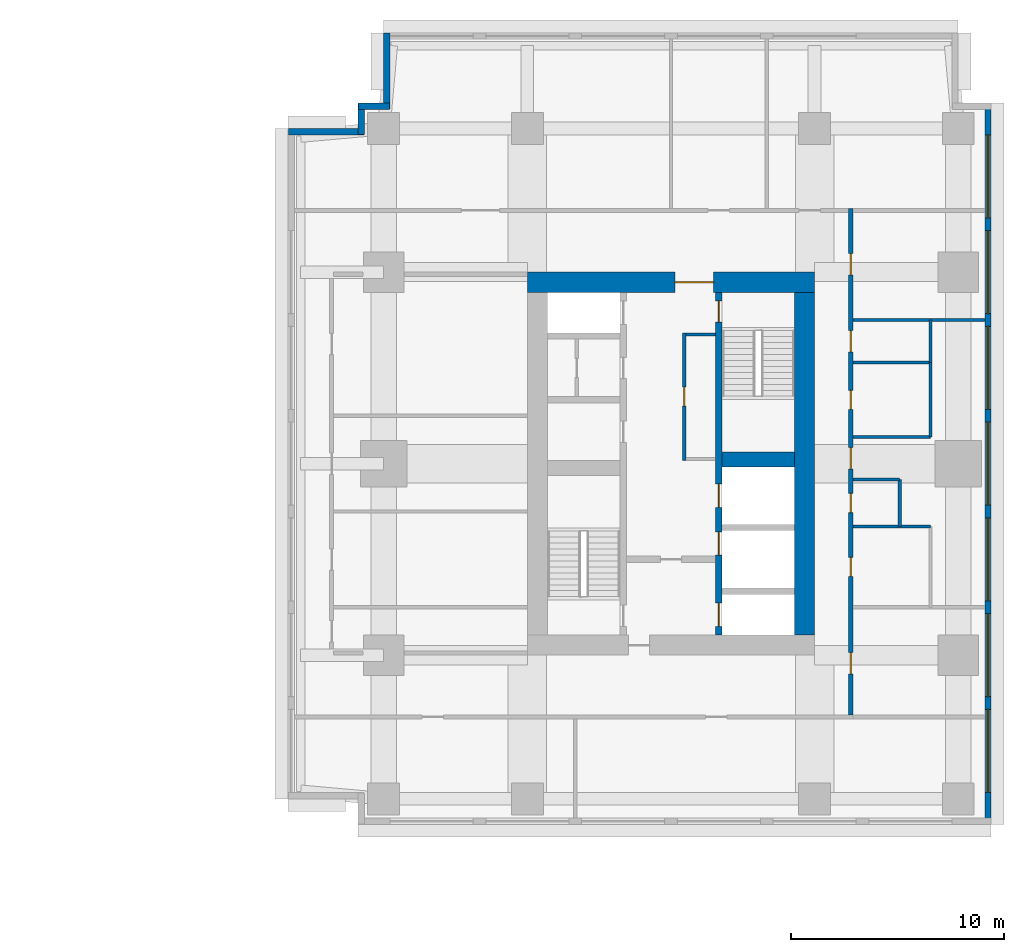
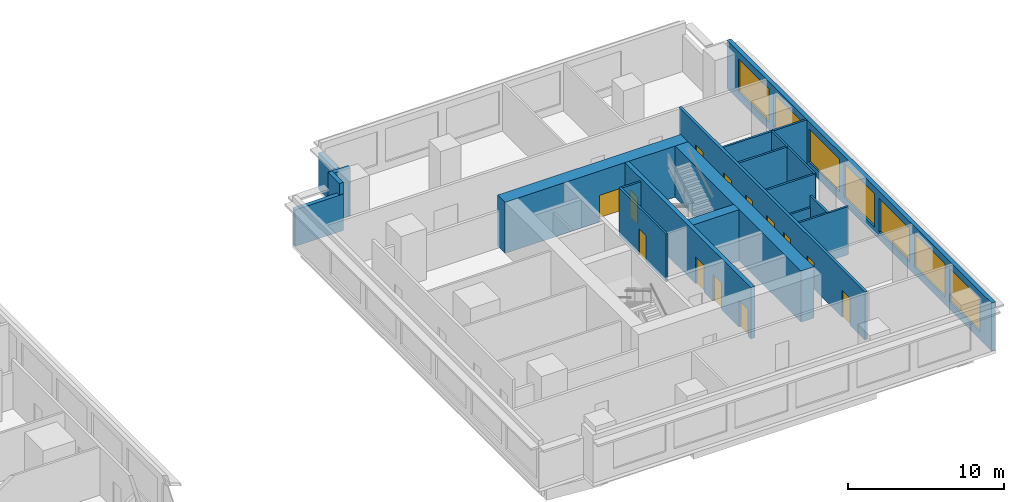
# One storey, part 7 of 10: 20 walls, 13 doors, 7 windows, 20 openings.
"""IFC4 building model written with IfcOpenShell, lengths in metres."""

import ifcopenshell
import ifcopenshell.guid

model = None  # the IFC model being written
_history = None  # IfcOwnerHistory: only IFC2X3 demands one
_inside = {}  # id of a spatial element -> (the spatial element, [elements in it])
_under = {}  # id of a project, library or spatial element -> (it, [spatial elements below it])
_declared = {}  # id of a project -> (the project, [libraries it declares])
_typed = {}  # id of a type object -> (the type object, [elements of that type])
_made_of = {}  # id of a material, layer set ... -> (it, [elements and type objects made of it])


def new_model(schema):
    """Start an empty IFC model of exactly this schema.

    Asked for "IFC4X3", IfcOpenShell would pick the latest addendum, in which some entities
    have other attributes; the version numbers below select the first issue.
    IFC2X3 requires an IfcOwnerHistory on every rooted entity: one is made here for all.
    """
    global model, _history
    if schema == "IFC4X3":
        model = ifcopenshell.file(schema_version=(4, 3, 0, 0))
    else:
        model = ifcopenshell.file(schema=schema)
    _inside.clear()
    _under.clear()
    _declared.clear()
    _typed.clear()
    _made_of.clear()
    _history = None
    if model.schema == "IFC2X3":
        org = make("IfcOrganization", Name="unknown")
        user = make(
            "IfcPersonAndOrganization",
            ThePerson=make("IfcPerson", FamilyName="unknown"),
            TheOrganization=org,
        )
        app = make(
            "IfcApplication",
            ApplicationDeveloper=org,
            Version="unknown",
            ApplicationFullName="unknown",
            ApplicationIdentifier="unknown",
        )
        _history = make(
            "IfcOwnerHistory",
            OwningUser=user,
            OwningApplication=app,
            ChangeAction="ADDED",
            CreationDate=0,
        )
    return model


def make(cls, **values):
    """One entity of the class cls with the attributes given. An attribute that is None is left unset."""
    return model.create_entity(
        cls, **{name: value for name, value in values.items() if value is not None}
    )


def rooted(cls, **values):
    """An entity with a GlobalId (a new one), such as an element, a storey or a relation."""
    return make(cls, GlobalId=ifcopenshell.guid.new(), OwnerHistory=_history, **values)


def si_unit(unit_type, name, prefix=None):
    """IfcSIUnit, for example si_unit("LENGTHUNIT", "METRE", prefix="MILLI")."""
    return make("IfcSIUnit", UnitType=unit_type, Prefix=prefix, Name=name)


def assignment(units):
    """IfcUnitAssignment: the units of a project."""
    return None if units is None else make("IfcUnitAssignment", Units=units)


def point(xyz):
    """IfcCartesianPoint."""
    return None if xyz is None else make("IfcCartesianPoint", Coordinates=xyz)


def direction(xyz):
    """IfcDirection."""
    return None if xyz is None else make("IfcDirection", DirectionRatios=xyz)


def frame(location, z_axis=None, x_axis=None):
    """IfcAxis2Placement3D, a coordinate frame: its origin and axes. An axis left out is left unset."""
    return make(
        "IfcAxis2Placement3D",
        Location=point(location),
        Axis=direction(z_axis),
        RefDirection=direction(x_axis),
    )


def frame_2d(location, x_axis=None):
    """IfcAxis2Placement2D, a coordinate frame in the plane: its origin and x axis."""
    return make(
        "IfcAxis2Placement2D", Location=point(location), RefDirection=direction(x_axis)
    )


def origin():
    """The frame at (0, 0, 0) with its axes left unset."""
    return frame((0.0, 0.0, 0.0))


def place(relative_to, where):
    """IfcLocalPlacement: puts the frame where relative to a parent placement (None: the world)."""
    return make(
        "IfcLocalPlacement", PlacementRelTo=relative_to, RelativePlacement=where
    )


def context(
    kind, dimensions, precision=None, world=None, true_north=None, identifier=None
):
    """IfcGeometricRepresentationContext, for example the 3D "Model" context."""
    return make(
        "IfcGeometricRepresentationContext",
        ContextIdentifier=identifier,
        ContextType=kind,
        CoordinateSpaceDimension=dimensions,
        Precision=precision,
        WorldCoordinateSystem=world,
        TrueNorth=true_north,
    )


def subcontext(parent, identifier, kind, view, scale=None):
    """IfcGeometricRepresentationSubContext, for example "Body" below "Model"."""
    return make(
        "IfcGeometricRepresentationSubContext",
        ContextIdentifier=identifier,
        ContextType=kind,
        ParentContext=parent,
        TargetScale=scale,
        TargetView=view,
    )


def project(units=None, contexts=None):
    """IfcProject with its units and contexts."""
    return rooted(
        "IfcProject",
        Name="project",
        RepresentationContexts=contexts,
        UnitsInContext=assignment(units),
    )


def spatial(cls, under=None, at=None, **own):
    """A site, building, storey or space (cls), placed at a placement, below another one or the project."""
    s = rooted(cls, ObjectPlacement=at, **own)
    if under is not None:
        _under.setdefault(under.id(), (under, []))[1].append(s)
    return s


def profile(cls, at=None, kind="AREA", **sizes):
    """A parametric profile (cls). Its sizes go by their IFC names, for example OverallWidth=200.0."""
    return make(cls, ProfileType=kind, Position=at, **sizes)


def rectangle(**sizes):
    """IfcRectangleProfileDef."""
    return profile("IfcRectangleProfileDef", **sizes)


def extrude(swept, where, along, depth):
    """IfcExtrudedAreaSolid: the profile swept, set in the frame where, extruded along a direction by depth."""
    return make(
        "IfcExtrudedAreaSolid",
        SweptArea=swept,
        Position=where,
        ExtrudedDirection=direction(along),
        Depth=depth,
    )


def shape(context_of_items, identifier, shape_type, items):
    """IfcShapeRepresentation: the items that make up one representation, for example the "Body"."""
    return make(
        "IfcShapeRepresentation",
        ContextOfItems=context_of_items,
        RepresentationIdentifier=identifier,
        RepresentationType=shape_type,
        Items=items,
    )


def material(Name=None, Category=None):
    """IfcMaterial."""
    return make("IfcMaterial", Name=Name, Category=Category)


def layer(
    of_material, thickness, ventilated=None, Name=None, Category=None, Priority=None
):
    """IfcMaterialLayer: one layer of a wall or slab, of a material (None: an air gap)."""
    return make(
        "IfcMaterialLayer",
        Material=of_material,
        LayerThickness=thickness,
        IsVentilated=ventilated,
        Name=Name,
        Category=Category,
        Priority=Priority,
    )


def layer_set(layers, Name=None):
    """IfcMaterialLayerSet."""
    return make("IfcMaterialLayerSet", MaterialLayers=layers, LayerSetName=Name)


def made_of(thing, what):
    """Note that an element or type object is made of a material, layer set ...; save() writes the relation."""
    if what is not None:
        _made_of.setdefault(what.id(), (what, []))[1].append(thing)
    return thing


def type_object(cls, material=None, **own):
    """A type object (cls), such as IfcWallType, which elements share."""
    return made_of(rooted(cls, **own), material)


def element(
    cls,
    number,
    at=None,
    inside=None,
    cuts=None,
    type_object=None,
    material=None,
    context=None,
    identifier="Body",
    shape_type=None,
    held_by="IfcProductDefinitionShape",
    body=None,
    shapes=None,
    **own,
):
    """One element of the class cls, such as IfcWall. Its Tag is "e" and its number.

    at: its placement. inside: the storey or other place that contains it. cuts: it is an
    opening in that element (IfcRelVoidsElement). A single representation is given by context,
    identifier, shape_type and body (its items); several are given by shapes. held_by: the class
    of the entity that holds the representations. save() writes the other relations.
    """
    e = rooted(cls, Tag="e%d" % number, ObjectPlacement=at, **own)
    if body is not None:
        shapes = [shape(context, identifier, shape_type, body)]
    if shapes is not None:
        e.Representation = make(held_by, Representations=shapes)
    if inside is not None:
        _inside.setdefault(inside.id(), (inside, []))[1].append(e)
    if cuts is not None:
        rooted(
            "IfcRelVoidsElement", RelatingBuildingElement=cuts, RelatedOpeningElement=e
        )
    if type_object is not None:
        _typed.setdefault(type_object.id(), (type_object, []))[1].append(e)
    return made_of(e, material)


def fill(opening, filler):
    """IfcRelFillsElement: the door or window that sits in an opening."""
    return rooted(
        "IfcRelFillsElement",
        RelatingOpeningElement=opening,
        RelatedBuildingElement=filler,
    )


def aggregate(whole, parts):
    """IfcRelAggregates: a whole, such as a stair, and the parts it consists of."""
    return rooted("IfcRelAggregates", RelatingObject=whole, RelatedObjects=parts)


def save(model, path):
    """Write the relations noted so far, then the file.

    IfcRelAggregates (storeys below a building ...), IfcRelContainedInSpatialStructure (elements
    in a storey), IfcRelDefinesByType, IfcRelAssociatesMaterial and IfcRelDeclares: one each for
    every whole, place, type object, material and project.
    """
    for whole, parts in _under.values():
        aggregate(whole, parts)
    for where, things in _inside.values():
        rooted(
            "IfcRelContainedInSpatialStructure",
            RelatedElements=things,
            RelatingStructure=where,
        )
    for kind, things in _typed.values():
        rooted("IfcRelDefinesByType", RelatedObjects=things, RelatingType=kind)
    for what, things in _made_of.values():
        rooted("IfcRelAssociatesMaterial", RelatedObjects=things, RelatingMaterial=what)
    for by, libraries in _declared.values():
        rooted("IfcRelDeclares", RelatingContext=by, RelatedDefinitions=libraries)
    model.write(path)


model = new_model("IFC4")

# Units and contexts
model_context = context("Model", 3, precision=1e-05, world=origin(), true_north=direction((0.0, 1.0)))
body_context = subcontext(model_context, "Body", "Model", "MODEL_VIEW")
ifc_project = project(units=[si_unit("LENGTHUNIT", "METRE"), si_unit("AREAUNIT", "SQUARE_METRE"), si_unit("VOLUMEUNIT", "CUBIC_METRE"), si_unit("PLANEANGLEUNIT", "RADIAN"), si_unit("MASSUNIT", "GRAM", prefix="KILO")], contexts=[model_context])

# Site, building, storey
site_placement = place(None, origin())
site = spatial("IfcSite", under=ifc_project, at=site_placement, CompositionType="ELEMENT")
building_placement = place(site_placement, origin())
building = spatial("IfcBuilding", under=site, at=building_placement, Name="Namib Vertical Campus", CompositionType="ELEMENT")
storey_placement = place(building_placement, frame((0.0, 0.0, 157.0)))
storey = spatial("IfcBuildingStorey", under=building, at=storey_placement, Name="L37", CompositionType="ELEMENT", Elevation=157.0)

# Wall, openings, doors
ifc_material_1 = material(Name="Concrete C60/75", Category="concrete")
ifc_layer_1 = layer(ifc_material_1, 0.300048828125)
ifc_layer_set_1 = layer_set([ifc_layer_1], Name="Concrete C60/75")
wall_type_1 = type_object("IfcWallType", Name="Core inner wall 300", PredefinedType="SHEAR", material=ifc_layer_set_1)
wall_1_placement = place(storey_placement, frame((83.25, 12.199951171875, 0.0), z_axis=(0.0, 0.0, 1.0), x_axis=(0.0, 1.0, 0.0)))
wall_1 = element("IfcWall", 1, at=wall_1_placement, inside=storey, type_object=wall_type_1, Name="Core inner wall B L37 W2", PredefinedType="SHEAR", context=body_context, shape_type="SweptSolid", body=[
    extrude(rectangle(XDim=16.10009765625, YDim=0.300048828125, at=frame_2d((8.050048828125, 0.0))), origin(), (0.0, 0.0, 1.0), 4.0),
])
opening_1_placement = place(wall_1_placement, frame((14.699951171875, 0.0, 0.0)))
opening_1 = element("IfcOpeningElement", 2, at=opening_1_placement, cuts=wall_1, Name="Opening FD1", PredefinedType="OPENING", context=body_context, shape_type="SweptSolid", body=[
    extrude(rectangle(XDim=1.0, YDim=2.10009765625, at=frame_2d((0.5, 1.050048828125))), frame((0.0, 0.159912109375, 0.0), z_axis=(0.0, -1.0, 0.0), x_axis=(1.0, 0.0, 0.0)), (0.0, 0.0, 1.0), 0.320068359375),
])
opening_2_placement = place(wall_1_placement, frame((0.39990234375, 0.0, 0.0)))
opening_2 = element("IfcOpeningElement", 3, at=opening_2_placement, cuts=wall_1, Name="Opening LD1", PredefinedType="OPENING", context=body_context, shape_type="SweptSolid", body=[
    extrude(rectangle(XDim=1.10009765625, YDim=2.10009765625, at=frame_2d((0.550048828125, 1.050048828125))), frame((0.0, 0.159912109375, 0.0), z_axis=(0.0, -1.0, 0.0), x_axis=(1.0, 0.0, 0.0)), (0.0, 0.0, 1.0), 0.320068359375),
])
opening_3_placement = place(wall_1_placement, frame((3.75, 0.0, 0.0)))
opening_3 = element("IfcOpeningElement", 4, at=opening_3_placement, cuts=wall_1, Name="Opening LD1", PredefinedType="OPENING", context=body_context, shape_type="SweptSolid", body=[
    extrude(rectangle(XDim=1.10009765625, YDim=2.10009765625, at=frame_2d((0.550048828125, 1.050048828125))), frame((0.0, 0.159912109375, 0.0), z_axis=(0.0, -1.0, 0.0), x_axis=(1.0, 0.0, 0.0)), (0.0, 0.0, 1.0), 0.320068359375),
])
opening_4_placement = place(wall_1_placement, frame((6.0, 0.0, 0.0)))
opening_4 = element("IfcOpeningElement", 5, at=opening_4_placement, cuts=wall_1, Name="Opening LD1", PredefinedType="OPENING", context=body_context, shape_type="SweptSolid", body=[
    extrude(rectangle(XDim=1.10009765625, YDim=2.10009765625, at=frame_2d((0.550048828125, 1.050048828125))), frame((0.0, 0.159912109375, 0.0), z_axis=(0.0, -1.0, 0.0), x_axis=(1.0, 0.0, 0.0)), (0.0, 0.0, 1.0), 0.320068359375),
])
ifc_material_2 = material(Name="Steel fire door", Category="steel")
door_type_1 = type_object("IfcDoorType", Name="Fire door 1000x2100", OperationType="SINGLE_SWING_RIGHT", PredefinedType="DOOR", material=ifc_material_2)
door_1_placement = place(opening_1_placement, frame((1.0, 0.0, 0.0), z_axis=(0.0, 0.0, 1.0), x_axis=(-1.0, 0.0, 0.0)))
door_1 = element("IfcDoor", 6, at=door_1_placement, inside=storey, type_object=door_type_1, Name="Stair door FD1 B L37 S2", OperationType="SINGLE_SWING_LEFT", OverallHeight=2.10009765625, OverallWidth=1.0, PredefinedType="DOOR", context=body_context, shape_type="SweptSolid", body=[
    extrude(rectangle(XDim=1.0, YDim=2.10009765625, at=frame_2d((0.5, 1.050048828125))), frame((0.0, 0.02490234375, 0.0), z_axis=(0.0, -1.0, 0.0), x_axis=(1.0, 0.0, 0.0)), (0.0, 0.0, 1.0), 0.050048828125),
])
fill(opening_1, door_1)
ifc_material_3 = material(Name="Stainless steel lift door", Category="steel")
door_type_2 = type_object("IfcDoorType", Name="Lift landing door 1100x2100", OperationType="DOUBLE_DOOR_SLIDING", PredefinedType="DOOR", material=ifc_material_3)
door_2_placement = place(opening_2_placement, origin())
door_2 = element("IfcDoor", 7, at=door_2_placement, inside=storey, type_object=door_type_2, Name="Lift landing door LD1 B-FL1 L37", OperationType="DOUBLE_DOOR_SLIDING", OverallHeight=2.10009765625, OverallWidth=1.10009765625, PredefinedType="DOOR", context=body_context, shape_type="SweptSolid", body=[
    extrude(rectangle(XDim=1.10009765625, YDim=2.10009765625, at=frame_2d((0.550048828125, 1.050048828125))), frame((0.0, 0.02490234375, 0.0), z_axis=(0.0, -1.0, 0.0), x_axis=(1.0, 0.0, 0.0)), (0.0, 0.0, 1.0), 0.050048828125),
])
fill(opening_2, door_2)
door_3_placement = place(opening_3_placement, origin())
door_3 = element("IfcDoor", 8, at=door_3_placement, inside=storey, type_object=door_type_2, Name="Lift landing door LD1 B-P4 L37", OperationType="DOUBLE_DOOR_SLIDING", OverallHeight=2.10009765625, OverallWidth=1.10009765625, PredefinedType="DOOR", context=body_context, shape_type="SweptSolid", body=[
    extrude(rectangle(XDim=1.10009765625, YDim=2.10009765625, at=frame_2d((0.550048828125, 1.050048828125))), frame((0.0, 0.02490234375, 0.0), z_axis=(0.0, -1.0, 0.0), x_axis=(1.0, 0.0, 0.0)), (0.0, 0.0, 1.0), 0.050048828125),
])
fill(opening_3, door_3)
door_4_placement = place(opening_4_placement, origin())
door_4 = element("IfcDoor", 9, at=door_4_placement, inside=storey, type_object=door_type_2, Name="Lift landing door LD1 B-P5 L37", OperationType="DOUBLE_DOOR_SLIDING", OverallHeight=2.10009765625, OverallWidth=1.10009765625, PredefinedType="DOOR", context=body_context, shape_type="SweptSolid", body=[
    extrude(rectangle(XDim=1.10009765625, YDim=2.10009765625, at=frame_2d((0.550048828125, 1.050048828125))), frame((0.0, 0.02490234375, 0.0), z_axis=(0.0, -1.0, 0.0), x_axis=(1.0, 0.0, 0.0)), (0.0, 0.0, 1.0), 0.050048828125),
])
fill(opening_4, door_4)

# Walls
ifc_material_4 = material(Name="Concrete C60/75", Category="concrete")
ifc_layer_2 = layer(ifc_material_4, 0.699951171875)
ifc_layer_set_2 = layer_set([ifc_layer_2], Name="Concrete C60/75")
wall_type_2 = type_object("IfcWallType", Name="Core shear wall 700", PredefinedType="SHEAR", material=ifc_layer_set_2)
wall_2_placement = place(storey_placement, frame((83.39990234375, 20.449951171875, 0.0), z_axis=(0.0, 0.0, 1.0), x_axis=(1.0, 0.0, 0.0)))
element("IfcWall", 10, at=wall_2_placement, inside=storey, type_object=wall_type_2, Name="Core shear wall B L37 W7", PredefinedType="SHEAR", context=body_context, shape_type="SweptSolid", body=[
    extrude(rectangle(XDim=3.400146484375, YDim=0.699951171875, at=frame_2d((1.7001953125, 0.0))), origin(), (0.0, 0.0, 1.0), 4.0),
])
ifc_material_5 = material(Name="Concrete C60/75", Category="concrete")
ifc_layer_3 = layer(ifc_material_5, 0.949951171875)
ifc_layer_set_3 = layer_set([ifc_layer_3], Name="Concrete C60/75")
wall_type_3 = type_object("IfcWallType", Name="Core wall 950", PredefinedType="SHEAR", material=ifc_layer_set_3)
wall_3_placement = place(storey_placement, frame((87.27490234375, 12.199951171875, 0.0), z_axis=(0.0, 0.0, 1.0), x_axis=(0.0, 1.0, 0.0)))
element("IfcWall", 11, at=wall_3_placement, inside=storey, type_object=wall_type_3, Name="Core wall B L37 2", PredefinedType="SHEAR", context=body_context, shape_type="SweptSolid", body=[
    extrude(rectangle(XDim=16.10009765625, YDim=0.949951171875, at=frame_2d((8.050048828125, 0.0))), origin(), (0.0, 0.0, 1.0), 4.0),
])

# Wall, opening, door
wall_4_placement = place(storey_placement, frame((87.75, 28.77490234375, 0.0), z_axis=(0.0, 0.0, 1.0), x_axis=(-1.0, 0.0, 0.0)))
wall_4 = element("IfcWall", 12, at=wall_4_placement, inside=storey, type_object=wall_type_3, Name="Core wall B L37 3", PredefinedType="SHEAR", context=body_context, shape_type="SweptSolid", body=[
    extrude(rectangle(XDim=13.5, YDim=0.949951171875, at=frame_2d((6.75, 0.0))), origin(), (0.0, 0.0, 1.0), 4.0),
])
opening_5_placement = place(wall_4_placement, frame((4.75, 0.0, 0.0)))
opening_5 = element("IfcOpeningElement", 13, at=opening_5_placement, cuts=wall_4, Name="Opening FD2", PredefinedType="OPENING", context=body_context, shape_type="SweptSolid", body=[
    extrude(rectangle(XDim=1.800048828125, YDim=2.10009765625, at=frame_2d((0.89990234375, 1.050048828125))), frame((0.0, 0.48486328125, 0.0), z_axis=(0.0, -1.0, 0.0), x_axis=(1.0, 0.0, 0.0)), (0.0, 0.0, 1.0), 0.969970703125),
])
ifc_material_6 = material(Name="Steel fire door", Category="steel")
door_type_3 = type_object("IfcDoorType", Name="Fire door double 1800x2100", OperationType="DOUBLE_DOOR_SINGLE_SWING", PredefinedType="DOOR", material=ifc_material_6)
door_5_placement = place(opening_5_placement, origin())
door_5 = element("IfcDoor", 14, at=door_5_placement, inside=storey, type_object=door_type_3, Name="Lift lobby door FD2 B L37", OperationType="DOUBLE_DOOR_SINGLE_SWING", OverallHeight=2.10009765625, OverallWidth=1.800048828125, PredefinedType="DOOR", context=body_context, shape_type="SweptSolid", body=[
    extrude(rectangle(XDim=1.800048828125, YDim=2.10009765625, at=frame_2d((0.89990234375, 1.050048828125))), frame((0.0, 0.02490234375, 0.0), z_axis=(0.0, -1.0, 0.0), x_axis=(1.0, 0.0, 0.0)), (0.0, 0.0, 1.0), 0.050048828125),
])
fill(opening_5, door_5)

# Wall, openings, doors
ifc_material_7 = material(Name="Concrete masonry", Category="masonry")
ifc_layer_4 = layer(ifc_material_7, 0.199951171875)
ifc_layer_set_4 = layer_set([ifc_layer_4], Name="Corridor wall 200")
wall_type_4 = type_object("IfcWallType", Name="Corridor wall 200", PredefinedType="SOLIDWALL", material=ifc_layer_set_4)
wall_5_placement = place(storey_placement, frame((89.449951171875, 8.449951171875, 0.0), z_axis=(0.0, 0.0, 1.0), x_axis=(0.0, 1.0, 0.0)))
wall_5 = element("IfcWall", 15, at=wall_5_placement, inside=storey, type_object=wall_type_4, Name="Corridor wall B L37 CE", PredefinedType="SOLIDWALL", context=body_context, shape_type="SweptSolid", body=[
    extrude(rectangle(XDim=23.800048828125, YDim=0.199951171875, at=frame_2d((11.89990234375, 0.0))), origin(), (0.0, 0.0, 1.0), 3.75),
])
opening_6_placement = place(wall_5_placement, frame((1.925048828125, 0.0, 0.0)))
opening_6 = element("IfcOpeningElement", 16, at=opening_6_placement, cuts=wall_5, Name="Opening CD1", PredefinedType="OPENING", context=body_context, shape_type="SweptSolid", body=[
    extrude(rectangle(XDim=1.0, YDim=2.10009765625, at=frame_2d((0.5, 1.050048828125))), frame((0.0, 0.10986328125, 0.0), z_axis=(0.0, -1.0, 0.0), x_axis=(1.0, 0.0, 0.0)), (0.0, 0.0, 1.0), 0.219970703125),
])
opening_7_placement = place(wall_5_placement, frame((6.5, 0.0, 0.0)))
opening_7 = element("IfcOpeningElement", 17, at=opening_7_placement, cuts=wall_5, Name="Opening CD3", PredefinedType="OPENING", context=body_context, shape_type="SweptSolid", body=[
    extrude(rectangle(XDim=0.89990234375, YDim=2.10009765625, at=frame_2d((0.449951171875, 1.050048828125))), frame((0.0, 0.10986328125, 0.0), z_axis=(0.0, -1.0, 0.0), x_axis=(1.0, 0.0, 0.0)), (0.0, 0.0, 1.0), 0.219970703125),
])
opening_8_placement = place(wall_5_placement, frame((9.5, 0.0, 0.0)))
opening_8 = element("IfcOpeningElement", 18, at=opening_8_placement, cuts=wall_5, Name="Opening CD3", PredefinedType="OPENING", context=body_context, shape_type="SweptSolid", body=[
    extrude(rectangle(XDim=0.89990234375, YDim=2.10009765625, at=frame_2d((0.449951171875, 1.050048828125))), frame((0.0, 0.10986328125, 0.0), z_axis=(0.0, -1.0, 0.0), x_axis=(1.0, 0.0, 0.0)), (0.0, 0.0, 1.0), 0.219970703125),
])
opening_9_placement = place(wall_5_placement, frame((14.35009765625, 0.0, 0.0)))
opening_9 = element("IfcOpeningElement", 19, at=opening_9_placement, cuts=wall_5, Name="Opening CD3", PredefinedType="OPENING", context=body_context, shape_type="SweptSolid", body=[
    extrude(rectangle(XDim=0.89990234375, YDim=2.10009765625, at=frame_2d((0.449951171875, 1.050048828125))), frame((0.0, 0.10986328125, 0.0), z_axis=(0.0, -1.0, 0.0), x_axis=(1.0, 0.0, 0.0)), (0.0, 0.0, 1.0), 0.219970703125),
])
opening_10_placement = place(wall_5_placement, frame((17.050048828125, 0.0, 0.0)))
opening_10 = element("IfcOpeningElement", 20, at=opening_10_placement, cuts=wall_5, Name="Opening CD1", PredefinedType="OPENING", context=body_context, shape_type="SweptSolid", body=[
    extrude(rectangle(XDim=1.0, YDim=2.10009765625, at=frame_2d((0.5, 1.050048828125))), frame((0.0, 0.10986328125, 0.0), z_axis=(0.0, -1.0, 0.0), x_axis=(1.0, 0.0, 0.0)), (0.0, 0.0, 1.0), 0.219970703125),
])
opening_11_placement = place(wall_5_placement, frame((11.550048828125, 0.0, 0.0)))
opening_11 = element("IfcOpeningElement", 21, at=opening_11_placement, cuts=wall_5, Name="Opening CD1", PredefinedType="OPENING", context=body_context, shape_type="SweptSolid", body=[
    extrude(rectangle(XDim=1.0, YDim=2.10009765625, at=frame_2d((0.5, 1.050048828125))), frame((0.0, 0.10986328125, 0.0), z_axis=(0.0, -1.0, 0.0), x_axis=(1.0, 0.0, 0.0)), (0.0, 0.0, 1.0), 0.219970703125),
])
opening_12_placement = place(wall_5_placement, frame((20.675048828125, 0.0, 0.0)))
opening_12 = element("IfcOpeningElement", 22, at=opening_12_placement, cuts=wall_5, Name="Opening CD1", PredefinedType="OPENING", context=body_context, shape_type="SweptSolid", body=[
    extrude(rectangle(XDim=1.0, YDim=2.10009765625, at=frame_2d((0.5, 1.050048828125))), frame((0.0, 0.10986328125, 0.0), z_axis=(0.0, -1.0, 0.0), x_axis=(1.0, 0.0, 0.0)), (0.0, 0.0, 1.0), 0.219970703125),
])
ifc_material_8 = material(Name="Timber fire door leaf", Category="wood")
door_type_4 = type_object("IfcDoorType", Name="Corridor door 1000x2100 20 min", OperationType="SINGLE_SWING_LEFT", PredefinedType="DOOR", material=ifc_material_8)
door_6_placement = place(opening_6_placement, frame((1.0, 0.0, 0.0), z_axis=(0.0, 0.0, 1.0), x_axis=(-1.0, 0.0, 0.0)))
door_6 = element("IfcDoor", 23, at=door_6_placement, inside=storey, type_object=door_type_4, Name="Door CD1 B37-03", OperationType="SINGLE_SWING_RIGHT", OverallHeight=2.10009765625, OverallWidth=1.0, PredefinedType="DOOR", context=body_context, shape_type="SweptSolid", body=[
    extrude(rectangle(XDim=1.0, YDim=2.10009765625, at=frame_2d((0.5, 1.050048828125))), frame((0.0, 0.02490234375, 0.0), z_axis=(0.0, -1.0, 0.0), x_axis=(1.0, 0.0, 0.0)), (0.0, 0.0, 1.0), 0.050048828125),
])
fill(opening_6, door_6)
door_7_placement = place(opening_10_placement, frame((1.0, 0.0, 0.0), z_axis=(0.0, 0.0, 1.0), x_axis=(-1.0, 0.0, 0.0)))
door_7 = element("IfcDoor", 24, at=door_7_placement, inside=storey, type_object=door_type_4, Name="Door CD1 B37-07", OperationType="SINGLE_SWING_RIGHT", OverallHeight=2.10009765625, OverallWidth=1.0, PredefinedType="DOOR", context=body_context, shape_type="SweptSolid", body=[
    extrude(rectangle(XDim=1.0, YDim=2.10009765625, at=frame_2d((0.5, 1.050048828125))), frame((0.0, 0.02490234375, 0.0), z_axis=(0.0, -1.0, 0.0), x_axis=(1.0, 0.0, 0.0)), (0.0, 0.0, 1.0), 0.050048828125),
])
fill(opening_10, door_7)
door_8_placement = place(opening_11_placement, frame((1.0, 0.0, 0.0), z_axis=(0.0, 0.0, 1.0), x_axis=(-1.0, 0.0, 0.0)))
door_8 = element("IfcDoor", 25, at=door_8_placement, inside=storey, type_object=door_type_4, Name="Door CD1 B37-08", OperationType="SINGLE_SWING_RIGHT", OverallHeight=2.10009765625, OverallWidth=1.0, PredefinedType="DOOR", context=body_context, shape_type="SweptSolid", body=[
    extrude(rectangle(XDim=1.0, YDim=2.10009765625, at=frame_2d((0.5, 1.050048828125))), frame((0.0, 0.02490234375, 0.0), z_axis=(0.0, -1.0, 0.0), x_axis=(1.0, 0.0, 0.0)), (0.0, 0.0, 1.0), 0.050048828125),
])
fill(opening_11, door_8)
door_9_placement = place(opening_12_placement, frame((1.0, 0.0, 0.0), z_axis=(0.0, 0.0, 1.0), x_axis=(-1.0, 0.0, 0.0)))
door_9 = element("IfcDoor", 26, at=door_9_placement, inside=storey, type_object=door_type_4, Name="Door CD1 B37-09", OperationType="SINGLE_SWING_RIGHT", OverallHeight=2.10009765625, OverallWidth=1.0, PredefinedType="DOOR", context=body_context, shape_type="SweptSolid", body=[
    extrude(rectangle(XDim=1.0, YDim=2.10009765625, at=frame_2d((0.5, 1.050048828125))), frame((0.0, 0.02490234375, 0.0), z_axis=(0.0, -1.0, 0.0), x_axis=(1.0, 0.0, 0.0)), (0.0, 0.0, 1.0), 0.050048828125),
])
fill(opening_12, door_9)
ifc_material_9 = material(Name="Timber fire door leaf", Category="wood")
door_type_5 = type_object("IfcDoorType", Name="Corridor toilet door 900x2100 20 min", OperationType="SINGLE_SWING_LEFT", PredefinedType="DOOR", material=ifc_material_9)
door_10_placement = place(opening_7_placement, frame((0.89990234375, 0.0, 0.0), z_axis=(0.0, 0.0, 1.0), x_axis=(-1.0, 0.0, 0.0)))
door_10 = element("IfcDoor", 27, at=door_10_placement, inside=storey, type_object=door_type_5, Name="Door CD3 B37-04", OperationType="SINGLE_SWING_RIGHT", OverallHeight=2.10009765625, OverallWidth=0.89990234375, PredefinedType="DOOR", context=body_context, shape_type="SweptSolid", body=[
    extrude(rectangle(XDim=0.89990234375, YDim=2.10009765625, at=frame_2d((0.449951171875, 1.050048828125))), frame((0.0, 0.02490234375, 0.0), z_axis=(0.0, -1.0, 0.0), x_axis=(1.0, 0.0, 0.0)), (0.0, 0.0, 1.0), 0.050048828125),
])
fill(opening_7, door_10)
door_11_placement = place(opening_8_placement, frame((0.89990234375, 0.0, 0.0), z_axis=(0.0, 0.0, 1.0), x_axis=(-1.0, 0.0, 0.0)))
door_11 = element("IfcDoor", 28, at=door_11_placement, inside=storey, type_object=door_type_5, Name="Door CD3 B37-05", OperationType="SINGLE_SWING_RIGHT", OverallHeight=2.10009765625, OverallWidth=0.89990234375, PredefinedType="DOOR", context=body_context, shape_type="SweptSolid", body=[
    extrude(rectangle(XDim=0.89990234375, YDim=2.10009765625, at=frame_2d((0.449951171875, 1.050048828125))), frame((0.0, 0.02490234375, 0.0), z_axis=(0.0, -1.0, 0.0), x_axis=(1.0, 0.0, 0.0)), (0.0, 0.0, 1.0), 0.050048828125),
])
fill(opening_8, door_11)
door_12_placement = place(opening_9_placement, frame((0.89990234375, 0.0, 0.0), z_axis=(0.0, 0.0, 1.0), x_axis=(-1.0, 0.0, 0.0)))
door_12 = element("IfcDoor", 29, at=door_12_placement, inside=storey, type_object=door_type_5, Name="Door CD3 B37-06", OperationType="SINGLE_SWING_RIGHT", OverallHeight=2.10009765625, OverallWidth=0.89990234375, PredefinedType="DOOR", context=body_context, shape_type="SweptSolid", body=[
    extrude(rectangle(XDim=0.89990234375, YDim=2.10009765625, at=frame_2d((0.449951171875, 1.050048828125))), frame((0.0, 0.02490234375, 0.0), z_axis=(0.0, -1.0, 0.0), x_axis=(1.0, 0.0, 0.0)), (0.0, 0.0, 1.0), 0.050048828125),
])
fill(opening_9, door_12)

# Wall, openings, windows
ifc_material_10 = material(Name="Concrete C40/50", Category="concrete")
ifc_layer_5 = layer(ifc_material_10, 0.300048828125)
ifc_layer_set_5 = layer_set([ifc_layer_5], Name="Concrete C40/50")
wall_type_5 = type_object("IfcWallType", Name="External wall 300 board-marked concrete", PredefinedType="STANDARD", material=ifc_layer_set_5)
wall_6_placement = place(storey_placement, frame((95.89990234375, 3.320068359375, 0.0), z_axis=(0.0, 0.0, 1.0), x_axis=(0.0, 1.0, 0.0)))
wall_6 = element("IfcWall", 30, at=wall_6_placement, inside=storey, type_object=wall_type_5, Name="External wall L37 F04", PredefinedType="STANDARD", context=body_context, shape_type="SweptSolid", body=[
    extrude(rectangle(XDim=33.85986328125, YDim=0.300048828125, at=frame_2d((16.929931640625, 0.0))), origin(), (0.0, 0.0, 1.0), 3.75),
])
opening_13_placement = place(wall_6_placement, frame((1.47998046875, 0.0, 0.60009765625)))
opening_13 = element("IfcOpeningElement", 31, at=opening_13_placement, cuts=wall_6, Name="Opening W2", PredefinedType="OPENING", context=body_context, shape_type="SweptSolid", body=[
    extrude(rectangle(XDim=3.89990234375, YDim=2.60009765625, at=frame_2d((1.949951171875, 1.300048828125))), frame((0.0, 0.159912109375, 0.0), z_axis=(0.0, -1.0, 0.0), x_axis=(1.0, 0.0, 0.0)), (0.0, 0.0, 1.0), 0.320068359375),
])
opening_14_placement = place(wall_6_placement, frame((5.97998046875, 0.0, 0.60009765625)))
opening_14 = element("IfcOpeningElement", 32, at=opening_14_placement, cuts=wall_6, Name="Opening W2", PredefinedType="OPENING", context=body_context, shape_type="SweptSolid", body=[
    extrude(rectangle(XDim=3.89990234375, YDim=2.60009765625, at=frame_2d((1.949951171875, 1.300048828125))), frame((0.0, 0.159912109375, 0.0), z_axis=(0.0, -1.0, 0.0), x_axis=(1.0, 0.0, 0.0)), (0.0, 0.0, 1.0), 0.320068359375),
])
opening_15_placement = place(wall_6_placement, frame((10.47998046875, 0.0, 0.60009765625)))
opening_15 = element("IfcOpeningElement", 33, at=opening_15_placement, cuts=wall_6, Name="Opening W2", PredefinedType="OPENING", context=body_context, shape_type="SweptSolid", body=[
    extrude(rectangle(XDim=3.89990234375, YDim=2.60009765625, at=frame_2d((1.949951171875, 1.300048828125))), frame((0.0, 0.159912109375, 0.0), z_axis=(0.0, -1.0, 0.0), x_axis=(1.0, 0.0, 0.0)), (0.0, 0.0, 1.0), 0.320068359375),
])
opening_16_placement = place(wall_6_placement, frame((14.97998046875, 0.0, 0.60009765625)))
opening_16 = element("IfcOpeningElement", 34, at=opening_16_placement, cuts=wall_6, Name="Opening W2", PredefinedType="OPENING", context=body_context, shape_type="SweptSolid", body=[
    extrude(rectangle(XDim=3.89990234375, YDim=2.60009765625, at=frame_2d((1.949951171875, 1.300048828125))), frame((0.0, 0.159912109375, 0.0), z_axis=(0.0, -1.0, 0.0), x_axis=(1.0, 0.0, 0.0)), (0.0, 0.0, 1.0), 0.320068359375),
])
opening_17_placement = place(wall_6_placement, frame((19.47998046875, 0.0, 0.60009765625)))
opening_17 = element("IfcOpeningElement", 35, at=opening_17_placement, cuts=wall_6, Name="Opening W2", PredefinedType="OPENING", context=body_context, shape_type="SweptSolid", body=[
    extrude(rectangle(XDim=3.89990234375, YDim=2.60009765625, at=frame_2d((1.949951171875, 1.300048828125))), frame((0.0, 0.159912109375, 0.0), z_axis=(0.0, -1.0, 0.0), x_axis=(1.0, 0.0, 0.0)), (0.0, 0.0, 1.0), 0.320068359375),
])
opening_18_placement = place(wall_6_placement, frame((23.97998046875, 0.0, 0.60009765625)))
opening_18 = element("IfcOpeningElement", 36, at=opening_18_placement, cuts=wall_6, Name="Opening W2", PredefinedType="OPENING", context=body_context, shape_type="SweptSolid", body=[
    extrude(rectangle(XDim=3.89990234375, YDim=2.60009765625, at=frame_2d((1.949951171875, 1.300048828125))), frame((0.0, 0.159912109375, 0.0), z_axis=(0.0, -1.0, 0.0), x_axis=(1.0, 0.0, 0.0)), (0.0, 0.0, 1.0), 0.320068359375),
])
opening_19_placement = place(wall_6_placement, frame((28.47998046875, 0.0, 0.60009765625)))
opening_19 = element("IfcOpeningElement", 37, at=opening_19_placement, cuts=wall_6, Name="Opening W2", PredefinedType="OPENING", context=body_context, shape_type="SweptSolid", body=[
    extrude(rectangle(XDim=3.89990234375, YDim=2.60009765625, at=frame_2d((1.949951171875, 1.300048828125))), frame((0.0, 0.159912109375, 0.0), z_axis=(0.0, -1.0, 0.0), x_axis=(1.0, 0.0, 0.0)), (0.0, 0.0, 1.0), 0.320068359375),
])
ifc_material_11 = material(Name="Dark tinted glass in black aluminium frame", Category="aluminium")
window_type = type_object("IfcWindowType", Name="Ribbon window 3900x2600", PartitioningType="SINGLE_PANEL", PredefinedType="WINDOW", material=ifc_material_11)
window_1_placement = place(opening_13_placement, origin())
window_1 = element("IfcWindow", 38, at=window_1_placement, inside=storey, type_object=window_type, Name="Window W2 L37 F04-1", OverallHeight=2.60009765625, OverallWidth=3.89990234375, PartitioningType="SINGLE_PANEL", PredefinedType="WINDOW", context=body_context, shape_type="SweptSolid", body=[
    extrude(rectangle(XDim=3.89990234375, YDim=2.60009765625, at=frame_2d((1.949951171875, 1.300048828125))), frame((0.0, 0.030029296875, 0.0), z_axis=(0.0, -1.0, 0.0), x_axis=(1.0, 0.0, 0.0)), (0.0, 0.0, 1.0), 0.06005859375),
])
fill(opening_13, window_1)
window_2_placement = place(opening_14_placement, origin())
window_2 = element("IfcWindow", 39, at=window_2_placement, inside=storey, type_object=window_type, Name="Window W2 L37 F04-2", OverallHeight=2.60009765625, OverallWidth=3.89990234375, PartitioningType="SINGLE_PANEL", PredefinedType="WINDOW", context=body_context, shape_type="SweptSolid", body=[
    extrude(rectangle(XDim=3.89990234375, YDim=2.60009765625, at=frame_2d((1.949951171875, 1.300048828125))), frame((0.0, 0.030029296875, 0.0), z_axis=(0.0, -1.0, 0.0), x_axis=(1.0, 0.0, 0.0)), (0.0, 0.0, 1.0), 0.06005859375),
])
fill(opening_14, window_2)
window_3_placement = place(opening_15_placement, origin())
window_3 = element("IfcWindow", 40, at=window_3_placement, inside=storey, type_object=window_type, Name="Window W2 L37 F04-3", OverallHeight=2.60009765625, OverallWidth=3.89990234375, PartitioningType="SINGLE_PANEL", PredefinedType="WINDOW", context=body_context, shape_type="SweptSolid", body=[
    extrude(rectangle(XDim=3.89990234375, YDim=2.60009765625, at=frame_2d((1.949951171875, 1.300048828125))), frame((0.0, 0.030029296875, 0.0), z_axis=(0.0, -1.0, 0.0), x_axis=(1.0, 0.0, 0.0)), (0.0, 0.0, 1.0), 0.06005859375),
])
fill(opening_15, window_3)
window_4_placement = place(opening_16_placement, origin())
window_4 = element("IfcWindow", 41, at=window_4_placement, inside=storey, type_object=window_type, Name="Window W2 L37 F04-4", OverallHeight=2.60009765625, OverallWidth=3.89990234375, PartitioningType="SINGLE_PANEL", PredefinedType="WINDOW", context=body_context, shape_type="SweptSolid", body=[
    extrude(rectangle(XDim=3.89990234375, YDim=2.60009765625, at=frame_2d((1.949951171875, 1.300048828125))), frame((0.0, 0.030029296875, 0.0), z_axis=(0.0, -1.0, 0.0), x_axis=(1.0, 0.0, 0.0)), (0.0, 0.0, 1.0), 0.06005859375),
])
fill(opening_16, window_4)
window_5_placement = place(opening_17_placement, origin())
window_5 = element("IfcWindow", 42, at=window_5_placement, inside=storey, type_object=window_type, Name="Window W2 L37 F04-5", OverallHeight=2.60009765625, OverallWidth=3.89990234375, PartitioningType="SINGLE_PANEL", PredefinedType="WINDOW", context=body_context, shape_type="SweptSolid", body=[
    extrude(rectangle(XDim=3.89990234375, YDim=2.60009765625, at=frame_2d((1.949951171875, 1.300048828125))), frame((0.0, 0.030029296875, 0.0), z_axis=(0.0, -1.0, 0.0), x_axis=(1.0, 0.0, 0.0)), (0.0, 0.0, 1.0), 0.06005859375),
])
fill(opening_17, window_5)
window_6_placement = place(opening_18_placement, origin())
window_6 = element("IfcWindow", 43, at=window_6_placement, inside=storey, type_object=window_type, Name="Window W2 L37 F04-6", OverallHeight=2.60009765625, OverallWidth=3.89990234375, PartitioningType="SINGLE_PANEL", PredefinedType="WINDOW", context=body_context, shape_type="SweptSolid", body=[
    extrude(rectangle(XDim=3.89990234375, YDim=2.60009765625, at=frame_2d((1.949951171875, 1.300048828125))), frame((0.0, 0.030029296875, 0.0), z_axis=(0.0, -1.0, 0.0), x_axis=(1.0, 0.0, 0.0)), (0.0, 0.0, 1.0), 0.06005859375),
])
fill(opening_18, window_6)
window_7_placement = place(opening_19_placement, origin())
window_7 = element("IfcWindow", 44, at=window_7_placement, inside=storey, type_object=window_type, Name="Window W2 L37 F04-7", OverallHeight=2.60009765625, OverallWidth=3.89990234375, PartitioningType="SINGLE_PANEL", PredefinedType="WINDOW", context=body_context, shape_type="SweptSolid", body=[
    extrude(rectangle(XDim=3.89990234375, YDim=2.60009765625, at=frame_2d((1.949951171875, 1.300048828125))), frame((0.0, 0.030029296875, 0.0), z_axis=(0.0, -1.0, 0.0), x_axis=(1.0, 0.0, 0.0)), (0.0, 0.0, 1.0), 0.06005859375),
])
fill(opening_19, window_7)

# Walls
wall_7_placement = place(storey_placement, frame((67.64990234375, 40.47998046875, 0.0), z_axis=(0.0, 0.0, 1.0), x_axis=(0.0, -1.0, 0.0)))
element("IfcWall", 45, at=wall_7_placement, inside=storey, type_object=wall_type_5, Name="External wall L37 F08", PredefinedType="STANDARD", context=body_context, shape_type="SweptSolid", body=[
    extrude(rectangle(XDim=3.56005859375, YDim=0.300048828125, at=frame_2d((1.780029296875, 0.0))), origin(), (0.0, 0.0, 1.0), 2.85009765625),
])
for number, where, z_axis, x_axis, name in (
    (46, (67.780029296875, 37.050048828125, 0.0), (0.0, 0.0, 1.0), (-1.0, 0.0, 0.0), "External wall L37 F09"),
    (47, (66.449951171875, 37.179931640625, 0.0), (0.0, 0.0, 1.0), (0.0, -1.0, 0.0), "External wall L37 F10"),
):
    element("IfcWall", number, at=place(storey_placement, frame(where, z_axis=z_axis, x_axis=x_axis)), inside=storey, type_object=wall_type_5, Name=name, PredefinedType="STANDARD", context=body_context, shape_type="SweptSolid", body=[
        extrude(rectangle(XDim=1.4599609375, YDim=0.300048828125, at=frame_2d((0.72998046875, 0.0))), origin(), (0.0, 0.0, 1.0), 3.75),
    ])
wall_8_placement = place(storey_placement, frame((66.580078125, 35.85009765625, 0.0), z_axis=(0.0, 0.0, 1.0), x_axis=(-1.0, 0.0, 0.0)))
element("IfcWall", 48, at=wall_8_placement, inside=storey, type_object=wall_type_5, Name="External wall L37 F11", PredefinedType="STANDARD", context=body_context, shape_type="SweptSolid", body=[
    extrude(rectangle(XDim=3.56005859375, YDim=0.300048828125, at=frame_2d((1.780029296875, 0.0))), origin(), (0.0, 0.0, 1.0), 2.85009765625),
])

# Wall, opening, door
ifc_material_12 = material(Name="Gypsum board on steel studs", Category="steel")
ifc_layer_6 = layer(ifc_material_12, 0.14990234375)
ifc_layer_set_6 = layer_set([ifc_layer_6], Name="Gypsum board on steel studs")
wall_type_6 = type_object("IfcWallType", Name="Partition 150", PredefinedType="PARTITIONING", material=ifc_layer_set_6)
wall_9_placement = place(storey_placement, frame((81.625, 20.39990234375, 0.0), z_axis=(0.0, 0.0, 1.0), x_axis=(0.0, 1.0, 0.0)))
wall_9 = element("IfcWall", 49, at=wall_9_placement, inside=storey, type_object=wall_type_6, Name="Partition B L37 Store front", PredefinedType="PARTITIONING", context=body_context, shape_type="SweptSolid", body=[
    extrude(rectangle(XDim=6.0, YDim=0.14990234375, at=frame_2d((3.0, 0.0))), origin(), (0.0, 0.0, 1.0), 3.75),
])
opening_20_placement = place(wall_9_placement, frame((2.550048828125, 0.0, 0.0)))
opening_20 = element("IfcOpeningElement", 50, at=opening_20_placement, cuts=wall_9, Name="Opening D3", PredefinedType="OPENING", context=body_context, shape_type="SweptSolid", body=[
    extrude(rectangle(XDim=0.89990234375, YDim=2.10009765625, at=frame_2d((0.449951171875, 1.050048828125))), frame((0.0, 0.0849609375, 0.0), z_axis=(0.0, -1.0, 0.0), x_axis=(1.0, 0.0, 0.0)), (0.0, 0.0, 1.0), 0.169921875),
])
ifc_material_13 = material(Name="Timber door leaf", Category="wood")
door_type_6 = type_object("IfcDoorType", Name="Toilet door 900x2100", OperationType="SINGLE_SWING_LEFT", PredefinedType="DOOR", material=ifc_material_13)
door_13_placement = place(opening_20_placement, frame((0.89990234375, 0.0, 0.0), z_axis=(0.0, 0.0, 1.0), x_axis=(-1.0, 0.0, 0.0)))
door_13 = element("IfcDoor", 51, at=door_13_placement, inside=storey, type_object=door_type_6, Name="Door D3 Store B L37", OperationType="SINGLE_SWING_RIGHT", OverallHeight=2.10009765625, OverallWidth=0.89990234375, PredefinedType="DOOR", context=body_context, shape_type="SweptSolid", body=[
    extrude(rectangle(XDim=0.89990234375, YDim=2.10009765625, at=frame_2d((0.449951171875, 1.050048828125))), frame((0.0, 0.02490234375, 0.0), z_axis=(0.0, -1.0, 0.0), x_axis=(1.0, 0.0, 0.0)), (0.0, 0.0, 1.0), 0.050048828125),
])
fill(opening_20, door_13)

# Walls
wall_10_placement = place(storey_placement, frame((81.699951171875, 26.324951171875, 0.0), z_axis=(0.0, 0.0, 1.0), x_axis=(1.0, 0.0, 0.0)))
element("IfcWall", 52, at=wall_10_placement, inside=storey, type_object=wall_type_6, Name="Partition B L37 Store end 2", PredefinedType="PARTITIONING", context=body_context, shape_type="SweptSolid", body=[
    extrude(rectangle(XDim=1.400146484375, YDim=0.14990234375, at=frame_2d((0.7001953125, 0.0))), origin(), (0.0, 0.0, 1.0), 3.75),
])
wall_11_placement = place(storey_placement, frame((89.550048828125, 27.0, 0.0), z_axis=(0.0, 0.0, 1.0), x_axis=(1.0, 0.0, 0.0)))
element("IfcWall", 53, at=wall_11_placement, inside=storey, type_object=wall_type_6, Name="Partition B L37 PE2", PredefinedType="PARTITIONING", context=body_context, shape_type="SweptSolid", body=[
    extrude(rectangle(XDim=6.199951171875, YDim=0.14990234375, at=frame_2d((3.10009765625, 0.0))), origin(), (0.0, 0.0, 1.0), 3.75),
])
wall_12_placement = place(storey_placement, frame((89.550048828125, 17.300048828125, 0.0), z_axis=(0.0, 0.0, 1.0), x_axis=(1.0, 0.0, 0.0)))
element("IfcWall", 54, at=wall_12_placement, inside=storey, type_object=wall_type_6, Name="Partition B L37 WR1", PredefinedType="PARTITIONING", context=body_context, shape_type="SweptSolid", body=[
    extrude(rectangle(XDim=3.64990234375, YDim=0.14990234375, at=frame_2d((1.824951171875, 0.0))), origin(), (0.0, 0.0, 1.0), 3.75),
])
wall_13_placement = place(storey_placement, frame((89.550048828125, 19.5, 0.0), z_axis=(0.0, 0.0, 1.0), x_axis=(1.0, 0.0, 0.0)))
element("IfcWall", 55, at=wall_13_placement, inside=storey, type_object=wall_type_6, Name="Partition B L37 WR2", PredefinedType="PARTITIONING", context=body_context, shape_type="SweptSolid", body=[
    extrude(rectangle(XDim=2.199951171875, YDim=0.14990234375, at=frame_2d((1.10009765625, 0.0))), origin(), (0.0, 0.0, 1.0), 2.85009765625),
])
for number, where, z_axis, x_axis, name in (
    (56, (89.550048828125, 21.5, 0.0), (0.0, 0.0, 1.0), (1.0, 0.0, 0.0), "Partition B L37 WR3"),
    (57, (89.550048828125, 25.0, 0.0), (0.0, 0.0, 1.0), (1.0, 0.0, 0.0), "Partition B L37 WR4"),
):
    element("IfcWall", number, at=place(storey_placement, frame(where, z_axis=z_axis, x_axis=x_axis)), inside=storey, type_object=wall_type_6, Name=name, PredefinedType="PARTITIONING", context=body_context, shape_type="SweptSolid", body=[
        extrude(rectangle(XDim=3.64990234375, YDim=0.14990234375, at=frame_2d((1.824951171875, 0.0))), origin(), (0.0, 0.0, 1.0), 3.75),
    ])
wall_14_placement = place(storey_placement, frame((91.75, 17.300048828125, 0.0), z_axis=(0.0, 0.0, 1.0), x_axis=(0.0, 1.0, 0.0)))
element("IfcWall", 58, at=wall_14_placement, inside=storey, type_object=wall_type_6, Name="Partition B L37 WB2", PredefinedType="PARTITIONING", context=body_context, shape_type="SweptSolid", body=[
    extrude(rectangle(XDim=2.199951171875, YDim=0.14990234375, at=frame_2d((1.10009765625, 0.0))), origin(), (0.0, 0.0, 1.0), 3.75),
])
wall_15_placement = place(storey_placement, frame((93.199951171875, 21.5, 0.0), z_axis=(0.0, 0.0, 1.0), x_axis=(0.0, 1.0, 0.0)))
element("IfcWall", 59, at=wall_15_placement, inside=storey, type_object=wall_type_6, Name="Partition B L37 WB3", PredefinedType="PARTITIONING", context=body_context, shape_type="SweptSolid", body=[
    extrude(rectangle(XDim=3.5, YDim=0.14990234375, at=frame_2d((1.75, 0.0))), origin(), (0.0, 0.0, 1.0), 3.75),
])
wall_16_placement = place(storey_placement, frame((93.199951171875, 25.0, 0.0), z_axis=(0.0, 0.0, 1.0), x_axis=(0.0, 1.0, 0.0)))
element("IfcWall", 60, at=wall_16_placement, inside=storey, type_object=wall_type_6, Name="Partition B L37 WB4", PredefinedType="PARTITIONING", context=body_context, shape_type="SweptSolid", body=[
    extrude(rectangle(XDim=2.0, YDim=0.14990234375, at=frame_2d((1.0, 0.0))), origin(), (0.0, 0.0, 1.0), 3.75),
])

save(model, "model.ifc")
